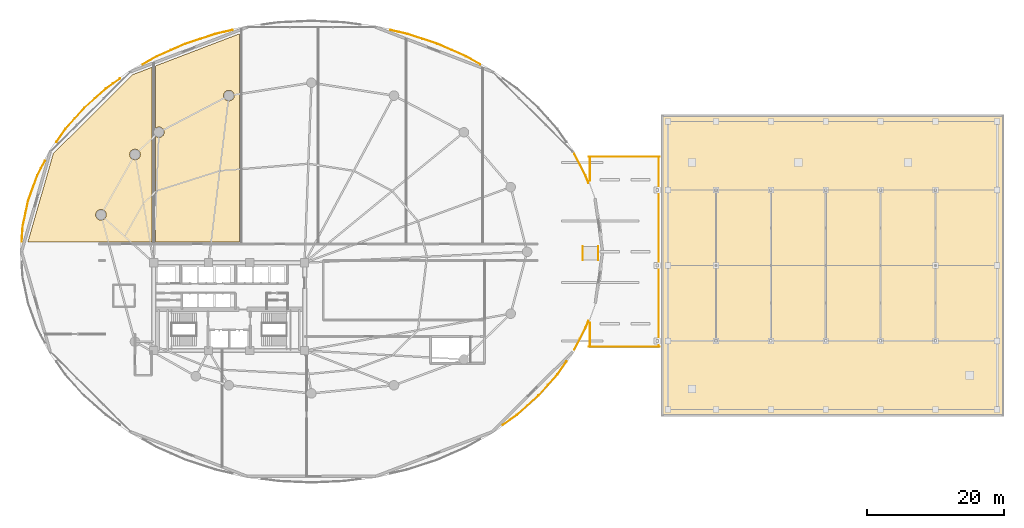
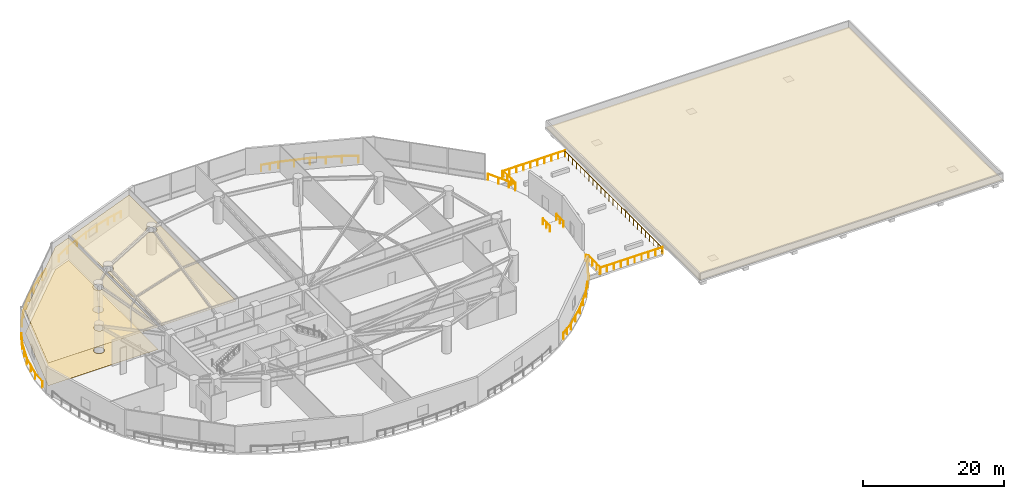
# One storey, part 25 of 26: 14 railings, 4 coverings.
"""IFC4 building model written with IfcOpenShell, lengths in metres."""

from ifc_helpers import new_model, si_unit, direction, frame, origin, origin_2d, place, context, subcontext, project, spatial, polyline, rectangle, outline, extrude, material, layer, layer_set, type_object, element, save


model = new_model("IFC4")

# Units and contexts
model_context = context("Model", 3, precision=1e-05, world=origin(), true_north=direction((0.0, 1.0)))
body_context = subcontext(model_context, "Body", "Model", "MODEL_VIEW")
ifc_project = project(units=[si_unit("LENGTHUNIT", "METRE"), si_unit("AREAUNIT", "SQUARE_METRE"), si_unit("VOLUMEUNIT", "CUBIC_METRE"), si_unit("PLANEANGLEUNIT", "RADIAN"), si_unit("MASSUNIT", "GRAM", prefix="KILO")], contexts=[model_context])

# Site, building, storey
site_placement = place(None, origin())
site = spatial("IfcSite", under=ifc_project, at=site_placement, CompositionType="ELEMENT")
building_placement = place(site_placement, origin())
building = spatial("IfcBuilding", under=site, at=building_placement, Name="Kazevale Care Tower and Concert Hall", CompositionType="ELEMENT")
storey_placement = place(building_placement, frame((0.0, 0.0, 19.199951171875)))
storey = spatial("IfcBuildingStorey", under=building, at=storey_placement, Name="L04", CompositionType="ELEMENT", Elevation=19.199951171875)

# Coverings
ifc_material_1 = material(Name="Acoustic Plaster and Hinoki Wood", Category="wood")
ifc_layer_1 = layer(ifc_material_1, 0.0400390625)
ifc_layer_set_1 = layer_set([ifc_layer_1], Name="Acoustic Plaster and Hinoki Wood")
covering_type_1 = type_object("IfcCoveringType", Name="Acoustic Perforated Wood-Gypsum Ceiling", PredefinedType="CEILING", material=ifc_layer_set_1)
covering_1_placement = place(storey_placement, frame((0.0, 0.0, 3.91015625)))
element("IfcCovering", 1, at=covering_1_placement, inside=storey, type_object=covering_type_1, Name="clg:L04:1", PredefinedType="CEILING", context=body_context, shape_type="SweptSolid", body=[
    extrude(outline(polyline([(21.719970703125, 39.405029296875), (3.64404296875, 39.405029296875), (7.35205078125, 52.306884765625), (18.9169921875, 63.824951171875), (21.719970703125, 64.89697265625), (21.719970703125, 39.405029296875)]), holes=[polyline([(19.990966796875, 52.47802734375), (19.822021484375, 52.73193359375), (19.568115234375, 52.90087890625), (19.27001953125, 52.9599609375), (18.971923828125, 52.90087890625), (18.718017578125, 52.73193359375), (18.549072265625, 52.47802734375), (18.489990234375, 52.179931640625), (18.549072265625, 51.882080078125), (18.718017578125, 51.6279296875), (18.971923828125, 51.458984375), (19.27001953125, 51.39990234375), (19.568115234375, 51.458984375), (19.822021484375, 51.6279296875), (19.990966796875, 51.882080078125), (20.050048828125, 52.179931640625), (19.990966796875, 52.47802734375)]), polyline([(15.074951171875, 43.531982421875), (14.958984375, 43.81298828125), (14.742919921875, 44.029052734375), (14.4619140625, 44.14501953125), (14.157958984375, 44.14501953125), (13.876953125, 44.029052734375), (13.660888671875, 43.81298828125), (13.544921875, 43.531982421875), (13.544921875, 43.22802734375), (13.660888671875, 42.947021484375), (13.876953125, 42.73095703125), (14.157958984375, 42.614990234375), (14.4619140625, 42.614990234375), (14.742919921875, 42.73095703125), (14.958984375, 42.947021484375), (15.074951171875, 43.22802734375), (15.074951171875, 43.531982421875)])]), origin(), (0.0, 0.0, 1.0), 0.039794921875),
])
covering_2_placement = place(storey_placement, frame((0.0, 0.0, 3.91015625)))
element("IfcCovering", 2, at=covering_2_placement, inside=storey, type_object=covering_type_1, Name="clg:L04:2", PredefinedType="CEILING", context=body_context, shape_type="SweptSolid", body=[
    extrude(outline(polyline([(34.52001953125, 69.79296875), (34.52001953125, 39.405029296875), (22.280029296875, 39.405029296875), (22.280029296875, 54.820068359375), (22.60791015625, 54.6650390625), (23.05810546875, 54.708984375), (23.408935546875, 54.9970703125), (23.5400390625, 55.429931640625), (23.408935546875, 55.863037109375), (23.05810546875, 56.15087890625), (22.60791015625, 56.195068359375), (22.280029296875, 56.0400390625), (22.280029296875, 65.111083984375), (34.52001953125, 69.79296875)]), holes=[polyline([(33.680908203125, 61.068115234375), (33.511962890625, 61.322021484375), (33.258056640625, 61.490966796875), (32.9599609375, 61.550048828125), (32.662109375, 61.490966796875), (32.407958984375, 61.322021484375), (32.239013671875, 61.068115234375), (32.179931640625, 60.77001953125), (32.239013671875, 60.471923828125), (32.407958984375, 60.218017578125), (32.662109375, 60.049072265625), (32.9599609375, 59.989990234375), (33.258056640625, 60.049072265625), (33.511962890625, 60.218017578125), (33.680908203125, 60.471923828125), (33.739990234375, 60.77001953125), (33.680908203125, 61.068115234375)])]), origin(), (0.0, 0.0, 1.0), 0.039794921875),
])

# Railings
ifc_material_2 = material(Name="Anodised Bronze Aluminium and Laminated Glass", Category="aluminium")
railing_type_1 = type_object("IfcRailingType", Name="Balcony and Terrace Balustrade 1120", PredefinedType="BALUSTRADE", material=ifc_material_2)
railing_1_placement = place(storey_placement, frame((2.742919921875, 39.4560546875, 0.0)))
element("IfcRailing", 3, at=railing_1_placement, inside=storey, type_object=railing_type_1, Name="rail:L04:perim:2", PredefinedType="BALUSTRADE", context=body_context, shape_type="SweptSolid", body=[
    extrude(rectangle(XDim=0.048095703125, YDim=0.048095703125, at=origin_2d()), frame((0.0, 0.0, 1.09619140625), z_axis=(0.070459951237, 0.997514609052, 0.0), x_axis=(-0.997514609052, 0.070459951237, 0.0)), (0.0, 0.0, 1.0), 2.314697265625),
    extrude(rectangle(XDim=0.048095703125, YDim=0.048095703125, at=origin_2d()), frame((0.1630859375, 2.308837890625, 1.09619140625), z_axis=(0.20907738305, 0.977899099037, 0.0), x_axis=(-0.977899099037, 0.20907738305, 0.0)), (0.0, 0.0, 1.0), 3.802001953125),
    extrude(rectangle(XDim=0.048095703125, YDim=0.048095703125, at=origin_2d()), frame((0.9580078125, 6.02685546875, 1.09619140625), z_axis=(0.340410185576, 0.940277036599, 0.0), x_axis=(-0.940277036599, 0.340410185576, 0.0)), (0.0, 0.0, 1.0), 3.854248046875),
    extrude(rectangle(XDim=0.048095703125, YDim=0.048095703125, at=origin_2d()), frame((2.27001953125, 9.65087890625, 1.09619140625), z_axis=(0.462140207553, 0.88680687219, 0.0), x_axis=(-0.88680687219, 0.462140207553, 0.0)), (0.0, 0.0, 1.0), 2.43017578125),
    extrude(rectangle(XDim=0.0419921875, YDim=0.0419921875, at=origin_2d()), origin(), (0.0, 0.0, 1.0), 1.072021484375),
    extrude(rectangle(XDim=0.0419921875, YDim=0.0419921875, at=origin_2d()), frame((0.1630859375, 2.308837890625, 0.0)), (0.0, 0.0, 1.0), 1.072021484375),
    extrude(rectangle(XDim=0.0419921875, YDim=0.0419921875, at=origin_2d()), frame((0.560546875, 4.16796875, 0.0)), (0.0, 0.0, 1.0), 1.072021484375),
    extrude(rectangle(XDim=0.0419921875, YDim=0.0419921875, at=origin_2d()), frame((0.9580078125, 6.02685546875, 0.0)), (0.0, 0.0, 1.0), 1.072021484375),
    extrude(rectangle(XDim=0.0419921875, YDim=0.0419921875, at=origin_2d()), frame((1.614013671875, 7.8388671875, 0.0)), (0.0, 0.0, 1.0), 1.072021484375),
    extrude(rectangle(XDim=0.0419921875, YDim=0.0419921875, at=origin_2d()), frame((2.27001953125, 9.65087890625, 0.0)), (0.0, 0.0, 1.0), 1.072021484375),
    extrude(rectangle(XDim=0.0419921875, YDim=0.0419921875, at=origin_2d()), frame((2.83154296875, 10.728515625, 0.0)), (0.0, 0.0, 1.0), 1.072021484375),
    extrude(rectangle(XDim=0.0419921875, YDim=0.0419921875, at=origin_2d()), frame((3.39306640625, 11.805908203125, 0.0)), (0.0, 0.0, 1.0), 1.072021484375),
])
railing_2_placement = place(storey_placement, frame((7.81201171875, 54.008056640625, 0.0)))
element("IfcRailing", 4, at=railing_2_placement, inside=storey, type_object=railing_type_1, Name="rail:L04:perim:3", PredefinedType="BALUSTRADE", context=body_context, shape_type="SweptSolid", body=[
    extrude(rectangle(XDim=0.048095703125, YDim=0.048095703125, at=origin_2d()), frame((0.0, 0.0, 1.09619140625), z_axis=(0.570672394322, 0.821177823835, 0.0), x_axis=(-0.821177823835, 0.570672394322, 0.0)), (0.0, 0.0, 1.0), 2.299072265625),
    extrude(rectangle(XDim=0.048095703125, YDim=0.048095703125, at=origin_2d()), frame((1.31201171875, 1.887939453125, 1.09619140625), z_axis=(0.665728837253, 0.746193751816, 0.0), x_axis=(-0.746193751816, 0.665728837253, 0.0)), (0.0, 0.0, 1.0), 4.12646484375),
    extrude(rectangle(XDim=0.048095703125, YDim=0.048095703125, at=origin_2d()), frame((4.05908203125, 4.967041015625, 1.09619140625), z_axis=(0.746983011463, 0.664843124794, 0.0), x_axis=(-0.664843124794, 0.746983011463, 0.0)), (0.0, 0.0, 1.0), 4.2353515625),
    extrude(rectangle(XDim=0.048095703125, YDim=0.048095703125, at=origin_2d()), frame((7.222900390625, 7.782958984375, 1.09619140625), z_axis=(0.815188786096, 0.579195340989, 0.0), x_axis=(-0.579195340989, 0.815188786096, 0.0)), (0.0, 0.0, 1.0), 2.53466796875),
    extrude(rectangle(XDim=0.0419921875, YDim=0.0419921875, at=origin_2d()), origin(), (0.0, 0.0, 1.0), 1.072021484375),
    extrude(rectangle(XDim=0.0419921875, YDim=0.0419921875, at=origin_2d()), frame((1.31201171875, 1.887939453125, 0.0)), (0.0, 0.0, 1.0), 1.072021484375),
    extrude(rectangle(XDim=0.0419921875, YDim=0.0419921875, at=origin_2d()), frame((2.685546875, 3.427490234375, 0.0)), (0.0, 0.0, 1.0), 1.072021484375),
    extrude(rectangle(XDim=0.0419921875, YDim=0.0419921875, at=origin_2d()), frame((4.05908203125, 4.967041015625, 0.0)), (0.0, 0.0, 1.0), 1.072021484375),
    extrude(rectangle(XDim=0.0419921875, YDim=0.0419921875, at=origin_2d()), frame((5.64111328125, 6.375, 0.0)), (0.0, 0.0, 1.0), 1.072021484375),
    extrude(rectangle(XDim=0.0419921875, YDim=0.0419921875, at=origin_2d()), frame((7.222900390625, 7.782958984375, 0.0)), (0.0, 0.0, 1.0), 1.072021484375),
    extrude(rectangle(XDim=0.0419921875, YDim=0.0419921875, at=origin_2d()), frame((8.255859375, 8.51708984375, 0.0)), (0.0, 0.0, 1.0), 1.072021484375),
    extrude(rectangle(XDim=0.0419921875, YDim=0.0419921875, at=origin_2d()), frame((9.2890625, 9.2509765625, 0.0)), (0.0, 0.0, 1.0), 1.072021484375),
])
railing_3_placement = place(storey_placement, frame((20.388916015625, 65.330078125, 0.0)))
element("IfcRailing", 5, at=railing_3_placement, inside=storey, type_object=railing_type_1, Name="rail:L04:perim:6", PredefinedType="BALUSTRADE", context=body_context, shape_type="SweptSolid", body=[
    extrude(rectangle(XDim=0.048095703125, YDim=0.048095703125, at=origin_2d()), frame((0.0, 0.0, 1.09619140625), z_axis=(0.870864175029, 0.491523741696, 0.0), x_axis=(-0.491523741696, 0.870864175029, 0.0)), (0.0, 0.0, 1.0), 2.36767578125),
    extrude(rectangle(XDim=0.048095703125, YDim=0.048095703125, at=origin_2d()), frame((2.06201171875, 1.163818359375, 1.09619140625), z_axis=(0.915470269762, 0.402385617514, 0.0), x_axis=(-0.402385617514, 0.915470269762, 0.0)), (0.0, 0.0, 1.0), 4.543212890625),
    extrude(rectangle(XDim=0.048095703125, YDim=0.048095703125, at=origin_2d()), frame((6.22119140625, 2.991943359375, 1.09619140625), z_axis=(0.949817857606, 0.312803512405, 0.0), x_axis=(-0.312803512405, 0.949817857606, 0.0)), (0.0, 0.0, 1.0), 4.622802734375),
    extrude(rectangle(XDim=0.048095703125, YDim=0.048095703125, at=origin_2d()), frame((10.612060546875, 4.43798828125, 1.09619140625), z_axis=(0.974740171393, 0.223341886518, 0.0), x_axis=(-0.223341886518, 0.974740171393, 0.0)), (0.0, 0.0, 1.0), 2.538330078125),
    extrude(rectangle(XDim=0.0419921875, YDim=0.0419921875, at=origin_2d()), origin(), (0.0, 0.0, 1.0), 1.072021484375),
    extrude(rectangle(XDim=0.0419921875, YDim=0.0419921875, at=origin_2d()), frame((2.06201171875, 1.163818359375, 0.0)), (0.0, 0.0, 1.0), 1.072021484375),
    extrude(rectangle(XDim=0.0419921875, YDim=0.0419921875, at=origin_2d()), frame((4.1416015625, 2.077880859375, 0.0)), (0.0, 0.0, 1.0), 1.072021484375),
    extrude(rectangle(XDim=0.0419921875, YDim=0.0419921875, at=origin_2d()), frame((6.22119140625, 2.991943359375, 0.0)), (0.0, 0.0, 1.0), 1.072021484375),
    extrude(rectangle(XDim=0.0419921875, YDim=0.0419921875, at=origin_2d()), frame((8.41650390625, 3.71484375, 0.0)), (0.0, 0.0, 1.0), 1.072021484375),
    extrude(rectangle(XDim=0.0419921875, YDim=0.0419921875, at=origin_2d()), frame((10.612060546875, 4.43798828125, 0.0)), (0.0, 0.0, 1.0), 1.072021484375),
    extrude(rectangle(XDim=0.0419921875, YDim=0.0419921875, at=origin_2d()), frame((11.84912109375, 4.721435546875, 0.0)), (0.0, 0.0, 1.0), 1.072021484375),
    extrude(rectangle(XDim=0.0419921875, YDim=0.0419921875, at=origin_2d()), frame((13.086181640625, 5.0048828125, 0.0)), (0.0, 0.0, 1.0), 1.072021484375),
])
railing_4_placement = place(storey_placement, frame((56.52490234375, 70.3349609375, 0.0)))
element("IfcRailing", 6, at=railing_4_placement, inside=storey, type_object=railing_type_1, Name="rail:L04:perim:10", PredefinedType="BALUSTRADE", context=body_context, shape_type="SweptSolid", body=[
    extrude(rectangle(XDim=0.048095703125, YDim=0.048095703125, at=origin_2d()), frame((0.0, 0.0, 1.09619140625), z_axis=(0.974740171393, -0.223341886518, 0.0), x_axis=(0.223341886518, 0.974740171393, 0.0)), (0.0, 0.0, 1.0), 2.538330078125),
    extrude(rectangle(XDim=0.048095703125, YDim=0.048095703125, at=origin_2d()), frame((2.47412109375, -0.56689453125, 1.09619140625), z_axis=(0.949817857606, -0.312803512405, 0.0), x_axis=(0.312803512405, 0.949817857606, 0.0)), (0.0, 0.0, 1.0), 4.622802734375),
    extrude(rectangle(XDim=0.048095703125, YDim=0.048095703125, at=origin_2d()), frame((6.864990234375, -2.012939453125, 1.09619140625), z_axis=(0.915470269762, -0.402385617514, 0.0), x_axis=(0.402385617514, 0.915470269762, 0.0)), (0.0, 0.0, 1.0), 4.543212890625),
    extrude(rectangle(XDim=0.048095703125, YDim=0.048095703125, at=origin_2d()), frame((11.024169921875, -3.841064453125, 1.09619140625), z_axis=(0.870864175029, -0.491523741696, 0.0), x_axis=(0.491523741696, 0.870864175029, 0.0)), (0.0, 0.0, 1.0), 2.36767578125),
    extrude(rectangle(XDim=0.0419921875, YDim=0.0419921875, at=origin_2d()), origin(), (0.0, 0.0, 1.0), 1.072021484375),
    extrude(rectangle(XDim=0.0419921875, YDim=0.0419921875, at=origin_2d()), frame((1.237060546875, -0.283447265625, 0.0)), (0.0, 0.0, 1.0), 1.072021484375),
    extrude(rectangle(XDim=0.0419921875, YDim=0.0419921875, at=origin_2d()), frame((2.47412109375, -0.56689453125, 0.0)), (0.0, 0.0, 1.0), 1.072021484375),
    extrude(rectangle(XDim=0.0419921875, YDim=0.0419921875, at=origin_2d()), frame((4.66943359375, -1.2900390625, 0.0)), (0.0, 0.0, 1.0), 1.072021484375),
    extrude(rectangle(XDim=0.0419921875, YDim=0.0419921875, at=origin_2d()), frame((6.864990234375, -2.012939453125, 0.0)), (0.0, 0.0, 1.0), 1.072021484375),
    extrude(rectangle(XDim=0.0419921875, YDim=0.0419921875, at=origin_2d()), frame((8.944580078125, -2.927001953125, 0.0)), (0.0, 0.0, 1.0), 1.072021484375),
    extrude(rectangle(XDim=0.0419921875, YDim=0.0419921875, at=origin_2d()), frame((11.024169921875, -3.841064453125, 0.0)), (0.0, 0.0, 1.0), 1.072021484375),
    extrude(rectangle(XDim=0.0419921875, YDim=0.0419921875, at=origin_2d()), frame((13.086181640625, -5.0048828125, 0.0)), (0.0, 0.0, 1.0), 1.072021484375),
])
railing_5_placement = place(storey_placement, frame((82.18798828125, 21.991943359375, 0.0)))
element("IfcRailing", 7, at=railing_5_placement, inside=storey, type_object=railing_type_1, Name="rail:L04:perim:11", PredefinedType="BALUSTRADE", context=body_context, shape_type="SweptSolid", body=[
    extrude(rectangle(XDim=0.048095703125, YDim=0.048095703125, at=origin_2d()), frame((0.0, 0.0, 1.09619140625), z_axis=(-0.570672394322, -0.821177823835, 0.0), x_axis=(0.821177823835, -0.570672394322, 0.0)), (0.0, 0.0, 1.0), 2.299072265625),
    extrude(rectangle(XDim=0.048095703125, YDim=0.048095703125, at=origin_2d()), frame((-1.31201171875, -1.887939453125, 1.09619140625), z_axis=(-0.665728837253, -0.746193751816, 0.0), x_axis=(0.746193751816, -0.665728837253, 0.0)), (0.0, 0.0, 1.0), 4.12646484375),
    extrude(rectangle(XDim=0.048095703125, YDim=0.048095703125, at=origin_2d()), frame((-4.05908203125, -4.967041015625, 1.09619140625), z_axis=(-0.746983011463, -0.664843124794, 0.0), x_axis=(0.664843124794, -0.746983011463, 0.0)), (0.0, 0.0, 1.0), 4.2353515625),
    extrude(rectangle(XDim=0.048095703125, YDim=0.048095703125, at=origin_2d()), frame((-7.222900390625, -7.782958984375, 1.09619140625), z_axis=(-0.815188786096, -0.579195340989, 0.0), x_axis=(0.579195340989, -0.815188786096, 0.0)), (0.0, 0.0, 1.0), 2.53466796875),
    extrude(rectangle(XDim=0.0419921875, YDim=0.0419921875, at=origin_2d()), origin(), (0.0, 0.0, 1.0), 1.072021484375),
    extrude(rectangle(XDim=0.0419921875, YDim=0.0419921875, at=origin_2d()), frame((-1.31201171875, -1.887939453125, 0.0)), (0.0, 0.0, 1.0), 1.072021484375),
    extrude(rectangle(XDim=0.0419921875, YDim=0.0419921875, at=origin_2d()), frame((-2.685546875, -3.427490234375, 0.0)), (0.0, 0.0, 1.0), 1.072021484375),
    extrude(rectangle(XDim=0.0419921875, YDim=0.0419921875, at=origin_2d()), frame((-4.05908203125, -4.967041015625, 0.0)), (0.0, 0.0, 1.0), 1.072021484375),
    extrude(rectangle(XDim=0.0419921875, YDim=0.0419921875, at=origin_2d()), frame((-5.64111328125, -6.375, 0.0)), (0.0, 0.0, 1.0), 1.072021484375),
    extrude(rectangle(XDim=0.0419921875, YDim=0.0419921875, at=origin_2d()), frame((-7.222900390625, -7.782958984375, 0.0)), (0.0, 0.0, 1.0), 1.072021484375),
    extrude(rectangle(XDim=0.0419921875, YDim=0.0419921875, at=origin_2d()), frame((-8.255859375, -8.51708984375, 0.0)), (0.0, 0.0, 1.0), 1.072021484375),
    extrude(rectangle(XDim=0.0419921875, YDim=0.0419921875, at=origin_2d()), frame((-9.2890625, -9.2509765625, 0.0)), (0.0, 0.0, 1.0), 1.072021484375),
])
railing_6_placement = place(storey_placement, frame((85.368896484375, 27.949951171875, 0.0)))
element("IfcRailing", 8, at=railing_6_placement, inside=storey, type_object=railing_type_1, Name="rail:L04:perim:13", PredefinedType="BALUSTRADE", context=body_context, shape_type="SweptSolid", body=[
    extrude(rectangle(XDim=0.048095703125, YDim=0.048095703125, at=origin_2d()), frame((0.0, 0.0, 1.09619140625), z_axis=(-0.339788605161, -0.940501836151, 0.0), x_axis=(0.940501836151, -0.339788605161, 0.0)), (0.0, 0.0, 1.0), 1.123779296875),
    extrude(rectangle(XDim=0.048095703125, YDim=0.048095703125, at=origin_2d()), frame((-0.3818359375, -1.056884765625, 1.09619140625), z_axis=(-0.462148172239, -0.88680272152, 0.0), x_axis=(0.88680272152, -0.462148172239, 0.0)), (0.0, 0.0, 1.0), 3.57470703125),
    extrude(rectangle(XDim=0.0419921875, YDim=0.0419921875, at=origin_2d()), origin(), (0.0, 0.0, 1.0), 1.072021484375),
    extrude(rectangle(XDim=0.0419921875, YDim=0.0419921875, at=origin_2d()), frame((-0.3818359375, -1.056884765625, 0.0)), (0.0, 0.0, 1.0), 1.072021484375),
    extrude(rectangle(XDim=0.0419921875, YDim=0.0419921875, at=origin_2d()), frame((-1.2080078125, -2.64208984375, 0.0)), (0.0, 0.0, 1.0), 1.072021484375),
    extrude(rectangle(XDim=0.0419921875, YDim=0.0419921875, at=origin_2d()), frame((-2.033935546875, -4.22705078125, 0.0)), (0.0, 0.0, 1.0), 1.072021484375),
])
railing_7_placement = place(storey_placement, frame((83.3349609375, 52.277099609375, 0.0)))
element("IfcRailing", 9, at=railing_7_placement, inside=storey, type_object=railing_type_1, Name="rail:L04:perim:14", PredefinedType="BALUSTRADE", context=body_context, shape_type="SweptSolid", body=[
    extrude(rectangle(XDim=0.048095703125, YDim=0.048095703125, at=origin_2d()), frame((0.0, 0.0, 1.09619140625), z_axis=(0.462148172239, -0.88680272152, 0.0), x_axis=(0.88680272152, 0.462148172239, 0.0)), (0.0, 0.0, 1.0), 3.57470703125),
    extrude(rectangle(XDim=0.048095703125, YDim=0.048095703125, at=origin_2d()), frame((1.652099609375, -3.170166015625, 1.09619140625), z_axis=(0.339788605161, -0.940501836151, 0.0), x_axis=(0.940501836151, 0.339788605161, 0.0)), (0.0, 0.0, 1.0), 1.123779296875),
    extrude(rectangle(XDim=0.0419921875, YDim=0.0419921875, at=origin_2d()), origin(), (0.0, 0.0, 1.0), 1.072021484375),
    extrude(rectangle(XDim=0.0419921875, YDim=0.0419921875, at=origin_2d()), frame((0.826171875, -1.5849609375, 0.0)), (0.0, 0.0, 1.0), 1.072021484375),
    extrude(rectangle(XDim=0.0419921875, YDim=0.0419921875, at=origin_2d()), frame((1.652099609375, -3.170166015625, 0.0)), (0.0, 0.0, 1.0), 1.072021484375),
    extrude(rectangle(XDim=0.0419921875, YDim=0.0419921875, at=origin_2d()), frame((2.033935546875, -4.22705078125, 0.0)), (0.0, 0.0, 1.0), 1.072021484375),
])
for number, where, name in (
    (10, (85.5, 24.14990234375, 0.0), "rail:L04:garden_S"),
    (11, (85.5, 51.85009765625, 0.0), "rail:L04:garden_N"),
):
    element("IfcRailing", number, at=place(storey_placement, frame(where)), inside=storey, type_object=railing_type_1, Name=name, PredefinedType="BALUSTRADE", context=body_context, shape_type="SweptSolid", body=[
        extrude(rectangle(XDim=0.048095703125, YDim=0.048095703125, at=origin_2d()), frame((0.0, 0.0, 1.09619140625), z_axis=(1.0, 0.0, 0.0), x_axis=(0.0, 1.0, 0.0)), (0.0, 0.0, 1.0), 10.280029296875),
        extrude(rectangle(XDim=0.0419921875, YDim=0.0419921875, at=origin_2d()), origin(), (0.0, 0.0, 1.0), 1.072021484375),
        extrude(rectangle(XDim=0.0419921875, YDim=0.0419921875, at=origin_2d()), frame((1.142333984375, 0.0, 0.0)), (0.0, 0.0, 1.0), 1.072021484375),
        extrude(rectangle(XDim=0.0419921875, YDim=0.0419921875, at=origin_2d()), frame((2.284423828125, 0.0, 0.0)), (0.0, 0.0, 1.0), 1.072021484375),
        extrude(rectangle(XDim=0.0419921875, YDim=0.0419921875, at=origin_2d()), frame((3.4267578125, 0.0, 0.0)), (0.0, 0.0, 1.0), 1.072021484375),
        extrude(rectangle(XDim=0.0419921875, YDim=0.0419921875, at=origin_2d()), frame((4.56884765625, 0.0, 0.0)), (0.0, 0.0, 1.0), 1.072021484375),
        extrude(rectangle(XDim=0.0419921875, YDim=0.0419921875, at=origin_2d()), frame((5.711181640625, 0.0, 0.0)), (0.0, 0.0, 1.0), 1.072021484375),
        extrude(rectangle(XDim=0.0419921875, YDim=0.0419921875, at=origin_2d()), frame((6.853271484375, 0.0, 0.0)), (0.0, 0.0, 1.0), 1.072021484375),
        extrude(rectangle(XDim=0.0419921875, YDim=0.0419921875, at=origin_2d()), frame((7.99560546875, 0.0, 0.0)), (0.0, 0.0, 1.0), 1.072021484375),
        extrude(rectangle(XDim=0.0419921875, YDim=0.0419921875, at=origin_2d()), frame((9.1376953125, 0.0, 0.0)), (0.0, 0.0, 1.0), 1.072021484375),
        extrude(rectangle(XDim=0.0419921875, YDim=0.0419921875, at=origin_2d()), frame((10.280029296875, 0.0, 0.0)), (0.0, 0.0, 1.0), 1.072021484375),
    ])
railing_8_placement = place(storey_placement, frame((95.659912109375, 24.14990234375, 0.0)))
element("IfcRailing", 12, at=railing_8_placement, inside=storey, type_object=railing_type_1, Name="rail:L04:garden_E", PredefinedType="BALUSTRADE", context=body_context, shape_type="SweptSolid", body=[
    extrude(rectangle(XDim=0.048095703125, YDim=0.048095703125, at=origin_2d()), frame((0.0, 0.0, 1.09619140625), z_axis=(0.0, 1.0, 0.0), x_axis=(-1.0, 0.0, 0.0)), (0.0, 0.0, 1.0), 27.7001953125),
    extrude(rectangle(XDim=0.0419921875, YDim=0.0419921875, at=origin_2d()), origin(), (0.0, 0.0, 1.0), 1.072021484375),
    extrude(rectangle(XDim=0.0419921875, YDim=0.0419921875, at=origin_2d()), frame((0.0, 1.154296875, 0.0)), (0.0, 0.0, 1.0), 1.072021484375),
    extrude(rectangle(XDim=0.0419921875, YDim=0.0419921875, at=origin_2d()), frame((0.0, 2.308349609375, 0.0)), (0.0, 0.0, 1.0), 1.072021484375),
    extrude(rectangle(XDim=0.0419921875, YDim=0.0419921875, at=origin_2d()), frame((0.0, 3.46240234375, 0.0)), (0.0, 0.0, 1.0), 1.072021484375),
    extrude(rectangle(XDim=0.0419921875, YDim=0.0419921875, at=origin_2d()), frame((0.0, 4.61669921875, 0.0)), (0.0, 0.0, 1.0), 1.072021484375),
    extrude(rectangle(XDim=0.0419921875, YDim=0.0419921875, at=origin_2d()), frame((0.0, 5.77099609375, 0.0)), (0.0, 0.0, 1.0), 1.072021484375),
    extrude(rectangle(XDim=0.0419921875, YDim=0.0419921875, at=origin_2d()), frame((0.0, 6.925048828125, 0.0)), (0.0, 0.0, 1.0), 1.072021484375),
    extrude(rectangle(XDim=0.0419921875, YDim=0.0419921875, at=origin_2d()), frame((0.0, 8.0791015625, 0.0)), (0.0, 0.0, 1.0), 1.072021484375),
    extrude(rectangle(XDim=0.0419921875, YDim=0.0419921875, at=origin_2d()), frame((0.0, 9.2333984375, 0.0)), (0.0, 0.0, 1.0), 1.072021484375),
    extrude(rectangle(XDim=0.0419921875, YDim=0.0419921875, at=origin_2d()), frame((0.0, 10.3876953125, 0.0)), (0.0, 0.0, 1.0), 1.072021484375),
    extrude(rectangle(XDim=0.0419921875, YDim=0.0419921875, at=origin_2d()), frame((0.0, 11.541748046875, 0.0)), (0.0, 0.0, 1.0), 1.072021484375),
    extrude(rectangle(XDim=0.0419921875, YDim=0.0419921875, at=origin_2d()), frame((0.0, 12.69580078125, 0.0)), (0.0, 0.0, 1.0), 1.072021484375),
    extrude(rectangle(XDim=0.0419921875, YDim=0.0419921875, at=origin_2d()), frame((0.0, 13.85009765625, 0.0)), (0.0, 0.0, 1.0), 1.072021484375),
    extrude(rectangle(XDim=0.0419921875, YDim=0.0419921875, at=origin_2d()), frame((0.0, 15.004150390625, 0.0)), (0.0, 0.0, 1.0), 1.072021484375),
    extrude(rectangle(XDim=0.0419921875, YDim=0.0419921875, at=origin_2d()), frame((0.0, 16.158447265625, 0.0)), (0.0, 0.0, 1.0), 1.072021484375),
    extrude(rectangle(XDim=0.0419921875, YDim=0.0419921875, at=origin_2d()), frame((0.0, 17.3125, 0.0)), (0.0, 0.0, 1.0), 1.072021484375),
    extrude(rectangle(XDim=0.0419921875, YDim=0.0419921875, at=origin_2d()), frame((0.0, 18.466796875, 0.0)), (0.0, 0.0, 1.0), 1.072021484375),
    extrude(rectangle(XDim=0.0419921875, YDim=0.0419921875, at=origin_2d()), frame((0.0, 19.62109375, 0.0)), (0.0, 0.0, 1.0), 1.072021484375),
    extrude(rectangle(XDim=0.0419921875, YDim=0.0419921875, at=origin_2d()), frame((0.0, 20.775146484375, 0.0)), (0.0, 0.0, 1.0), 1.072021484375),
    extrude(rectangle(XDim=0.0419921875, YDim=0.0419921875, at=origin_2d()), frame((0.0, 21.92919921875, 0.0)), (0.0, 0.0, 1.0), 1.072021484375),
    extrude(rectangle(XDim=0.0419921875, YDim=0.0419921875, at=origin_2d()), frame((0.0, 23.08349609375, 0.0)), (0.0, 0.0, 1.0), 1.072021484375),
    extrude(rectangle(XDim=0.0419921875, YDim=0.0419921875, at=origin_2d()), frame((0.0, 24.23779296875, 0.0)), (0.0, 0.0, 1.0), 1.072021484375),
    extrude(rectangle(XDim=0.0419921875, YDim=0.0419921875, at=origin_2d()), frame((0.0, 25.391845703125, 0.0)), (0.0, 0.0, 1.0), 1.072021484375),
    extrude(rectangle(XDim=0.0419921875, YDim=0.0419921875, at=origin_2d()), frame((0.0, 26.5458984375, 0.0)), (0.0, 0.0, 1.0), 1.072021484375),
    extrude(rectangle(XDim=0.0419921875, YDim=0.0419921875, at=origin_2d()), frame((0.0, 27.7001953125, 0.0)), (0.0, 0.0, 1.0), 1.072021484375),
])
for number, where, name in (
    (13, (85.6201171875, 24.14990234375, 0.0), "rail:L04:garden_WS"),
    (14, (85.6201171875, 48.39990234375, 0.0), "rail:L04:garden_WN"),
):
    element("IfcRailing", number, at=place(storey_placement, frame(where)), inside=storey, type_object=railing_type_1, Name=name, PredefinedType="BALUSTRADE", context=body_context, shape_type="SweptSolid", body=[
        extrude(rectangle(XDim=0.048095703125, YDim=0.048095703125, at=origin_2d()), frame((0.0, 0.0, 1.09619140625), z_axis=(0.0, 1.0, 0.0), x_axis=(-1.0, 0.0, 0.0)), (0.0, 0.0, 1.0), 3.4501953125),
        extrude(rectangle(XDim=0.0419921875, YDim=0.0419921875, at=origin_2d()), origin(), (0.0, 0.0, 1.0), 1.072021484375),
        extrude(rectangle(XDim=0.0419921875, YDim=0.0419921875, at=origin_2d()), frame((0.0, 1.150146484375, 0.0)), (0.0, 0.0, 1.0), 1.072021484375),
        extrude(rectangle(XDim=0.0419921875, YDim=0.0419921875, at=origin_2d()), frame((0.0, 2.300048828125, 0.0)), (0.0, 0.0, 1.0), 1.072021484375),
        extrude(rectangle(XDim=0.0419921875, YDim=0.0419921875, at=origin_2d()), frame((0.0, 3.4501953125, 0.0)), (0.0, 0.0, 1.0), 1.072021484375),
    ])

# Covering
ifc_material_3 = material(Name="EPDM Roofing Membrane")
ifc_layer_2 = layer(ifc_material_3, 0.080078125)
ifc_layer_set_2 = layer_set([ifc_layer_2], Name="EPDM Roofing Membrane")
covering_type_2 = type_object("IfcCoveringType", Name="Inverted Insulated EPDM Roofing Membrane", PredefinedType="ROOFING", material=ifc_layer_set_2)
covering_3_placement = place(storey_placement, frame((0.0, 0.0, 1.300048828125)))
element("IfcCovering", 15, at=covering_3_placement, inside=storey, type_object=covering_type_2, Name="cov:L04:hall_roofing", PredefinedType="ROOFING", context=body_context, shape_type="SweptSolid", body=[
    extrude(outline(polyline([(96.14990234375, 14.14990234375), (145.85009765625, 14.14990234375), (145.85009765625, 57.85009765625), (96.14990234375, 57.85009765625), (96.14990234375, 14.14990234375)])), origin(), (0.0, 0.0, 1.0), 0.080078125),
])

# Railings
ifc_material_4 = material(Name="Stainless Steel 316", Category="steel")
railing_type_2 = type_object("IfcRailingType", Name="Ramp Stainless Guard Rail", PredefinedType="BALUSTRADE", material=ifc_material_4)
for number, where, name in (
    (16, (84.580078125, 36.800048828125, -0.02001953125), "rail:L04:pedrampL5"),
    (17, (86.820068359375, 36.800048828125, -0.02001953125), "rail:L04:pedrampR5"),
):
    element("IfcRailing", number, at=place(storey_placement, frame(where)), inside=storey, type_object=railing_type_2, Name=name, PredefinedType="BALUSTRADE", context=body_context, shape_type="SweptSolid", body=[
        extrude(rectangle(XDim=0.048095703125, YDim=0.048095703125, at=origin_2d()), frame((0.0, 0.0, 1.076171875), z_axis=(0.0, 0.99994990606, 0.010009264196), x_axis=(-1.0, 0.0, 0.0)), (0.0, 0.0, 1.0), 2.0),
        extrude(rectangle(XDim=0.0419921875, YDim=0.0419921875, at=origin_2d()), origin(), (0.0, 0.0, 1.0), 1.052001953125),
        extrude(rectangle(XDim=0.0419921875, YDim=0.0419921875, at=origin_2d()), frame((0.0, 1.0, 0.010009765625)), (0.0, 0.0, 1.0), 1.052001953125),
        extrude(rectangle(XDim=0.0419921875, YDim=0.0419921875, at=origin_2d()), frame((0.0, 2.0, 0.02001953125)), (0.0, 0.0, 1.0), 1.052001953125),
    ])

# Covering
ifc_material_5 = material(Name="Honed Ochre Limestone", Category="masonry")
ifc_layer_3 = layer(ifc_material_5, 0.02001953125)
ifc_layer_set_3 = layer_set([ifc_layer_3], Name="Honed Ochre Limestone")
covering_type_3 = type_object("IfcCoveringType", Name="Slip-Resistant Resilient Care Flooring", PredefinedType="FLOORING", material=ifc_layer_set_3)
covering_4_placement = place(storey_placement, origin())
element("IfcCovering", 18, at=covering_4_placement, inside=storey, type_object=covering_type_3, Name="flr:L04:1", PredefinedType="FLOORING", context=body_context, shape_type="SweptSolid", body=[
    extrude(outline(polyline([(21.719970703125, 39.405029296875), (3.64404296875, 39.405029296875), (7.35205078125, 52.306884765625), (18.9169921875, 63.824951171875), (21.719970703125, 64.89697265625), (21.719970703125, 39.405029296875)]), holes=[polyline([(19.990966796875, 52.47802734375), (19.822021484375, 52.73193359375), (19.568115234375, 52.90087890625), (19.27001953125, 52.9599609375), (18.971923828125, 52.90087890625), (18.718017578125, 52.73193359375), (18.549072265625, 52.47802734375), (18.489990234375, 52.179931640625), (18.549072265625, 51.882080078125), (18.718017578125, 51.6279296875), (18.971923828125, 51.458984375), (19.27001953125, 51.39990234375), (19.568115234375, 51.458984375), (19.822021484375, 51.6279296875), (19.990966796875, 51.882080078125), (20.050048828125, 52.179931640625), (19.990966796875, 52.47802734375)]), polyline([(15.074951171875, 43.531982421875), (14.958984375, 43.81298828125), (14.742919921875, 44.029052734375), (14.4619140625, 44.14501953125), (14.157958984375, 44.14501953125), (13.876953125, 44.029052734375), (13.660888671875, 43.81298828125), (13.544921875, 43.531982421875), (13.544921875, 43.22802734375), (13.660888671875, 42.947021484375), (13.876953125, 42.73095703125), (14.157958984375, 42.614990234375), (14.4619140625, 42.614990234375), (14.742919921875, 42.73095703125), (14.958984375, 42.947021484375), (15.074951171875, 43.22802734375), (15.074951171875, 43.531982421875)])]), origin(), (0.0, 0.0, 1.0), 0.02001953125),
])

save(model, "model.ifc")
